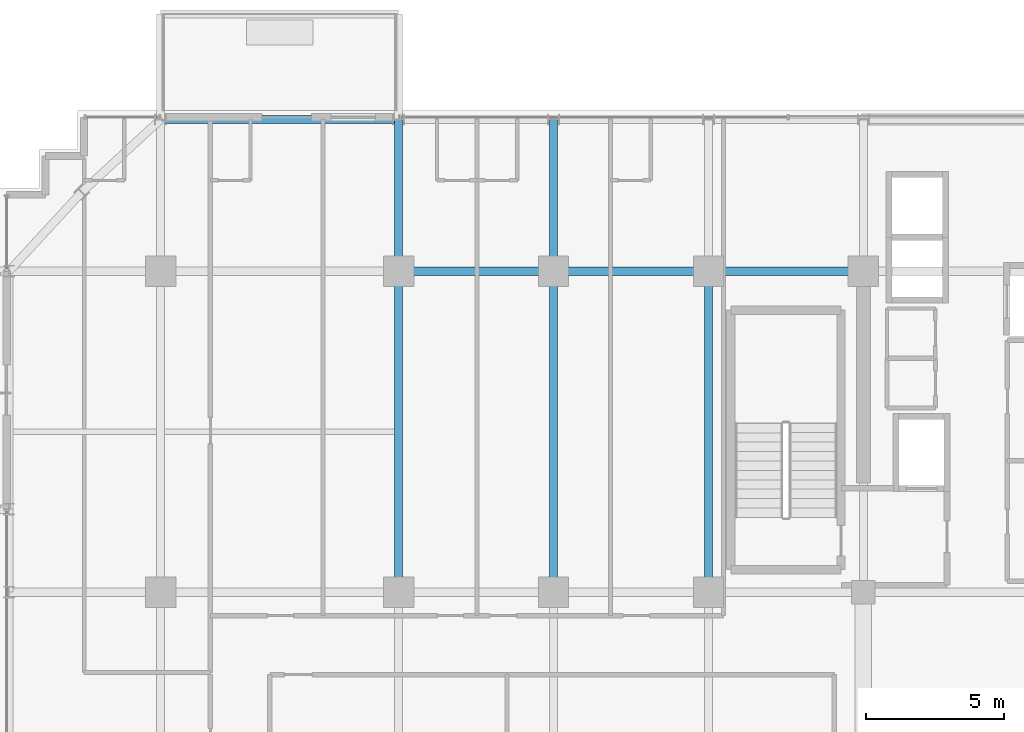
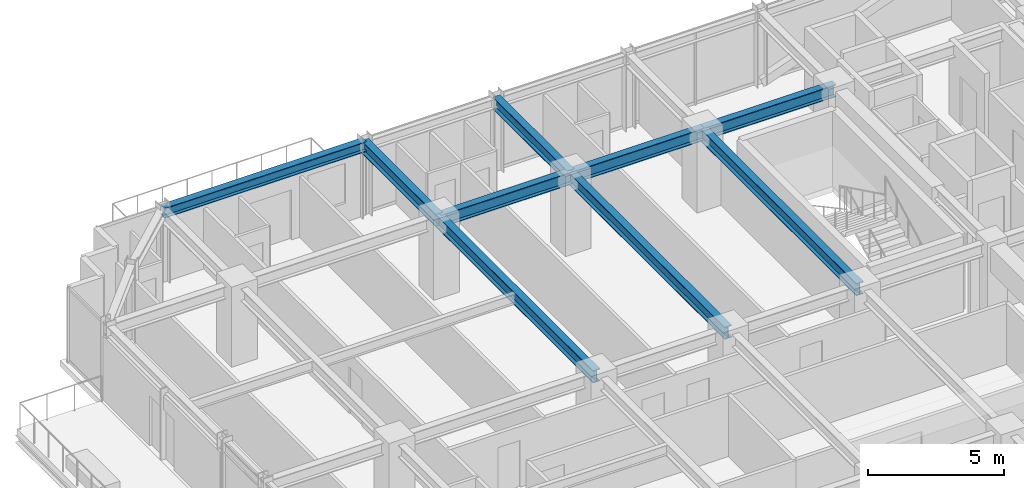
# One storey, part 18 of 32: 9 beams.
"""IFC4 building model written with IfcOpenShell, lengths in metres."""

import ifcopenshell
import ifcopenshell.guid

model = None  # the IFC model being written
_history = None  # IfcOwnerHistory: only IFC2X3 demands one
_inside = {}  # id of a spatial element -> (the spatial element, [elements in it])
_under = {}  # id of a project, library or spatial element -> (it, [spatial elements below it])
_declared = {}  # id of a project -> (the project, [libraries it declares])
_typed = {}  # id of a type object -> (the type object, [elements of that type])
_made_of = {}  # id of a material, layer set ... -> (it, [elements and type objects made of it])


def new_model(schema):
    """Start an empty IFC model of exactly this schema.

    Asked for "IFC4X3", IfcOpenShell would pick the latest addendum, in which some entities
    have other attributes; the version numbers below select the first issue.
    IFC2X3 requires an IfcOwnerHistory on every rooted entity: one is made here for all.
    """
    global model, _history
    if schema == "IFC4X3":
        model = ifcopenshell.file(schema_version=(4, 3, 0, 0))
    else:
        model = ifcopenshell.file(schema=schema)
    _inside.clear()
    _under.clear()
    _declared.clear()
    _typed.clear()
    _made_of.clear()
    _history = None
    if model.schema == "IFC2X3":
        org = make("IfcOrganization", Name="unknown")
        user = make(
            "IfcPersonAndOrganization",
            ThePerson=make("IfcPerson", FamilyName="unknown"),
            TheOrganization=org,
        )
        app = make(
            "IfcApplication",
            ApplicationDeveloper=org,
            Version="unknown",
            ApplicationFullName="unknown",
            ApplicationIdentifier="unknown",
        )
        _history = make(
            "IfcOwnerHistory",
            OwningUser=user,
            OwningApplication=app,
            ChangeAction="ADDED",
            CreationDate=0,
        )
    return model


def make(cls, **values):
    """One entity of the class cls with the attributes given. An attribute that is None is left unset."""
    return model.create_entity(
        cls, **{name: value for name, value in values.items() if value is not None}
    )


def rooted(cls, **values):
    """An entity with a GlobalId (a new one), such as an element, a storey or a relation."""
    return make(cls, GlobalId=ifcopenshell.guid.new(), OwnerHistory=_history, **values)


def si_unit(unit_type, name, prefix=None):
    """IfcSIUnit, for example si_unit("LENGTHUNIT", "METRE", prefix="MILLI")."""
    return make("IfcSIUnit", UnitType=unit_type, Prefix=prefix, Name=name)


def assignment(units):
    """IfcUnitAssignment: the units of a project."""
    return None if units is None else make("IfcUnitAssignment", Units=units)


def point(xyz):
    """IfcCartesianPoint."""
    return None if xyz is None else make("IfcCartesianPoint", Coordinates=xyz)


def direction(xyz):
    """IfcDirection."""
    return None if xyz is None else make("IfcDirection", DirectionRatios=xyz)


def frame(location, z_axis=None, x_axis=None):
    """IfcAxis2Placement3D, a coordinate frame: its origin and axes. An axis left out is left unset."""
    return make(
        "IfcAxis2Placement3D",
        Location=point(location),
        Axis=direction(z_axis),
        RefDirection=direction(x_axis),
    )


def frame_2d(location, x_axis=None):
    """IfcAxis2Placement2D, a coordinate frame in the plane: its origin and x axis."""
    return make(
        "IfcAxis2Placement2D", Location=point(location), RefDirection=direction(x_axis)
    )


def origin():
    """The frame at (0, 0, 0) with its axes left unset."""
    return frame((0.0, 0.0, 0.0))


def origin_2d():
    """The frame at (0, 0) in the plane with its x axis left unset."""
    return frame_2d((0.0, 0.0))


def place(relative_to, where):
    """IfcLocalPlacement: puts the frame where relative to a parent placement (None: the world)."""
    return make(
        "IfcLocalPlacement", PlacementRelTo=relative_to, RelativePlacement=where
    )


def context(
    kind, dimensions, precision=None, world=None, true_north=None, identifier=None
):
    """IfcGeometricRepresentationContext, for example the 3D "Model" context."""
    return make(
        "IfcGeometricRepresentationContext",
        ContextIdentifier=identifier,
        ContextType=kind,
        CoordinateSpaceDimension=dimensions,
        Precision=precision,
        WorldCoordinateSystem=world,
        TrueNorth=true_north,
    )


def subcontext(parent, identifier, kind, view, scale=None):
    """IfcGeometricRepresentationSubContext, for example "Body" below "Model"."""
    return make(
        "IfcGeometricRepresentationSubContext",
        ContextIdentifier=identifier,
        ContextType=kind,
        ParentContext=parent,
        TargetScale=scale,
        TargetView=view,
    )


def project(units=None, contexts=None):
    """IfcProject with its units and contexts."""
    return rooted(
        "IfcProject",
        Name="project",
        RepresentationContexts=contexts,
        UnitsInContext=assignment(units),
    )


def spatial(cls, under=None, at=None, **own):
    """A site, building, storey or space (cls), placed at a placement, below another one or the project."""
    s = rooted(cls, ObjectPlacement=at, **own)
    if under is not None:
        _under.setdefault(under.id(), (under, []))[1].append(s)
    return s


def profile(cls, at=None, kind="AREA", **sizes):
    """A parametric profile (cls). Its sizes go by their IFC names, for example OverallWidth=200.0."""
    return make(cls, ProfileType=kind, Position=at, **sizes)


def i_section(**sizes):
    """IfcIShapeProfileDef."""
    return profile("IfcIShapeProfileDef", **sizes)


def extrude(swept, where, along, depth):
    """IfcExtrudedAreaSolid: the profile swept, set in the frame where, extruded along a direction by depth."""
    return make(
        "IfcExtrudedAreaSolid",
        SweptArea=swept,
        Position=where,
        ExtrudedDirection=direction(along),
        Depth=depth,
    )


def shape(context_of_items, identifier, shape_type, items):
    """IfcShapeRepresentation: the items that make up one representation, for example the "Body"."""
    return make(
        "IfcShapeRepresentation",
        ContextOfItems=context_of_items,
        RepresentationIdentifier=identifier,
        RepresentationType=shape_type,
        Items=items,
    )


def source(mapping_origin, context_of_items, identifier, shape_type, items):
    """IfcRepresentationMap: a shape defined once, which mapped items show again and again."""
    return make(
        "IfcRepresentationMap",
        MappingOrigin=mapping_origin,
        MappedRepresentation=shape(context_of_items, identifier, shape_type, items),
    )


def transform(
    local_origin,
    x_axis=None,
    y_axis=None,
    z_axis=None,
    scale=None,
    scale2=None,
    scale3=None,
    uniform=True,
):
    """IfcCartesianTransformationOperator3D, or its non-uniform kind. x_axis, y_axis, z_axis: its Axis1, 2, 3."""
    if uniform:
        return make(
            "IfcCartesianTransformationOperator3D",
            Axis1=direction(x_axis),
            Axis2=direction(y_axis),
            LocalOrigin=point(local_origin),
            Scale=scale,
            Axis3=direction(z_axis),
        )
    return make(
        "IfcCartesianTransformationOperator3DnonUniform",
        Axis1=direction(x_axis),
        Axis2=direction(y_axis),
        LocalOrigin=point(local_origin),
        Scale=scale,
        Axis3=direction(z_axis),
        Scale2=scale2,
        Scale3=scale3,
    )


def mapped(mapping_source, mapping_target):
    """IfcMappedItem: shows the shape of a source again, moved by a transform."""
    return make(
        "IfcMappedItem", MappingSource=mapping_source, MappingTarget=mapping_target
    )


def material(Name=None, Category=None):
    """IfcMaterial."""
    return make("IfcMaterial", Name=Name, Category=Category)


def material_profile(
    of_material, cross_section, Name=None, Category=None, Priority=None
):
    """IfcMaterialProfile: a cross section and its material."""
    return make(
        "IfcMaterialProfile",
        Name=Name,
        Material=of_material,
        Profile=cross_section,
        Priority=Priority,
        Category=Category,
    )


def profile_set(profiles, Name=None, composite=None):
    """IfcMaterialProfileSet."""
    return make(
        "IfcMaterialProfileSet",
        Name=Name,
        MaterialProfiles=profiles,
        CompositeProfile=composite,
    )


def made_of(thing, what):
    """Note that an element or type object is made of a material, layer set ...; save() writes the relation."""
    if what is not None:
        _made_of.setdefault(what.id(), (what, []))[1].append(thing)
    return thing


def type_object(cls, material=None, **own):
    """A type object (cls), such as IfcWallType, which elements share."""
    return made_of(rooted(cls, **own), material)


def element(
    cls,
    number,
    at=None,
    inside=None,
    cuts=None,
    type_object=None,
    material=None,
    context=None,
    identifier="Body",
    shape_type=None,
    held_by="IfcProductDefinitionShape",
    body=None,
    shapes=None,
    **own,
):
    """One element of the class cls, such as IfcWall. Its Tag is "e" and its number.

    at: its placement. inside: the storey or other place that contains it. cuts: it is an
    opening in that element (IfcRelVoidsElement). A single representation is given by context,
    identifier, shape_type and body (its items); several are given by shapes. held_by: the class
    of the entity that holds the representations. save() writes the other relations.
    """
    e = rooted(cls, Tag="e%d" % number, ObjectPlacement=at, **own)
    if body is not None:
        shapes = [shape(context, identifier, shape_type, body)]
    if shapes is not None:
        e.Representation = make(held_by, Representations=shapes)
    if inside is not None:
        _inside.setdefault(inside.id(), (inside, []))[1].append(e)
    if cuts is not None:
        rooted(
            "IfcRelVoidsElement", RelatingBuildingElement=cuts, RelatedOpeningElement=e
        )
    if type_object is not None:
        _typed.setdefault(type_object.id(), (type_object, []))[1].append(e)
    return made_of(e, material)


def aggregate(whole, parts):
    """IfcRelAggregates: a whole, such as a stair, and the parts it consists of."""
    return rooted("IfcRelAggregates", RelatingObject=whole, RelatedObjects=parts)


def save(model, path):
    """Write the relations noted so far, then the file.

    IfcRelAggregates (storeys below a building ...), IfcRelContainedInSpatialStructure (elements
    in a storey), IfcRelDefinesByType, IfcRelAssociatesMaterial and IfcRelDeclares: one each for
    every whole, place, type object, material and project.
    """
    for whole, parts in _under.values():
        aggregate(whole, parts)
    for where, things in _inside.values():
        rooted(
            "IfcRelContainedInSpatialStructure",
            RelatedElements=things,
            RelatingStructure=where,
        )
    for kind, things in _typed.values():
        rooted("IfcRelDefinesByType", RelatedObjects=things, RelatingType=kind)
    for what, things in _made_of.values():
        rooted("IfcRelAssociatesMaterial", RelatedObjects=things, RelatingMaterial=what)
    for by, libraries in _declared.values():
        rooted("IfcRelDeclares", RelatingContext=by, RelatedDefinitions=libraries)
    model.write(path)


model = new_model("IFC4")

# Units and contexts
model_context = context("Model", 3, precision=1e-05, world=origin(), true_north=direction((0.0, 1.0)))
body_context = subcontext(model_context, "Body", "Model", "MODEL_VIEW")
ifc_project = project(units=[si_unit("LENGTHUNIT", "METRE"), si_unit("AREAUNIT", "SQUARE_METRE"), si_unit("VOLUMEUNIT", "CUBIC_METRE"), si_unit("PLANEANGLEUNIT", "RADIAN"), si_unit("MASSUNIT", "GRAM", prefix="KILO")], contexts=[model_context])

# Site, building, storey
site_placement = place(None, origin())
site = spatial("IfcSite", under=ifc_project, at=site_placement, CompositionType="ELEMENT")
building_placement = place(site_placement, origin())
building = spatial("IfcBuilding", under=site, at=building_placement, Name="Nahalor Promenade Grand Hotel", CompositionType="ELEMENT")
storey_placement = place(building_placement, frame((0.0, 0.0, 152.64990234375)))
storey = spatial("IfcBuildingStorey", under=building, at=storey_placement, Name="L38", CompositionType="ELEMENT", Elevation=152.64990234375)

# Beams
ifc_material = material(Name="Steel S355JR", Category="steel")
ifc_material_profile_1 = material_profile(ifc_material, i_section(OverallWidth=0.3, OverallDepth=0.55, WebThickness=0.015, FlangeThickness=0.029, at=origin_2d()), Name="HEB 550")
ifc_profile_set_1 = profile_set([ifc_material_profile_1], Name="Steel S355JR")
beam_type_1 = type_object("IfcBeamType", Name="Beam-Girder-HEB550", PredefinedType="BEAM", material=ifc_profile_set_1)
shared_shape_1 = source(origin(), body_context, "Body", "SweptSolid", [
    extrude(i_section(OverallWidth=0.3, OverallDepth=0.55, WebThickness=0.015, FlangeThickness=0.029, at=origin_2d()), origin(), (0.0, 0.0, 1.0), 5.599853515625),
])
for number, where, z_axis, x_axis, name in (
    (1, (-8.39990234375, 17.0, 3.114990234375), (1.0, 0.0, 0.0), (0.0, 1.0, 0.0), "BM-L38-GX-3-2"),
    (2, (2.800048828125, 17.0, 3.114990234375), (1.0, 0.0, 0.0), (0.0, 1.0, 0.0), "BM-L38-GX-3-4"),
):
    element("IfcBeam", number, at=place(storey_placement, frame(where, z_axis=z_axis, x_axis=x_axis)), inside=storey, type_object=beam_type_1, Name=name, PredefinedType="BEAM", context=body_context, shape_type="MappedRepresentation", body=[
        mapped(shared_shape_1, transform((0.0, 0.0, 0.0), scale=1.0)),
    ])
shared_shape_2 = source(origin(), body_context, "Body", "SweptSolid", [
    extrude(i_section(OverallWidth=0.3, OverallDepth=0.55, WebThickness=0.015, FlangeThickness=0.029, at=origin_2d()), origin(), (0.0, 0.0, 1.0), 5.60009765625),
])
beam_1_placement = place(storey_placement, frame((-2.800048828125, 17.0, 3.114990234375), z_axis=(1.0, 0.0, 0.0), x_axis=(0.0, 1.0, 0.0)))
element("IfcBeam", 3, at=beam_1_placement, inside=storey, type_object=beam_type_1, Name="BM-L38-GX-3-3", PredefinedType="BEAM", context=body_context, shape_type="MappedRepresentation", body=[
    mapped(shared_shape_2, transform((0.0, 0.0, 0.0), scale=1.0)),
])
shared_shape_3 = source(origin(), body_context, "Body", "SweptSolid", [
    extrude(i_section(OverallWidth=0.3, OverallDepth=0.55, WebThickness=0.015, FlangeThickness=0.029, at=origin_2d()), origin(), (0.0, 0.0, 1.0), 11.60009765625),
])
for number, where, z_axis, x_axis, name in (
    (4, (-8.39990234375, 5.39990234375, 3.114990234375), (0.0, 1.0, 0.0), (-1.0, 0.0, 0.0), "BM-L38-GY-1-3"),
    (5, (-2.800048828125, 5.39990234375, 3.114990234375), (0.0, 1.0, 0.0), (-1.0, 0.0, 0.0), "BM-L38-GY-2-3"),
    (6, (2.800048828125, 5.39990234375, 3.114990234375), (0.0, 1.0, 0.0), (-1.0, 0.0, 0.0), "BM-L38-GY-3-3"),
):
    element("IfcBeam", number, at=place(storey_placement, frame(where, z_axis=z_axis, x_axis=x_axis)), inside=storey, type_object=beam_type_1, Name=name, PredefinedType="BEAM", context=body_context, shape_type="MappedRepresentation", body=[
        mapped(shared_shape_3, transform((0.0, 0.0, 0.0), scale=1.0)),
    ])
shared_shape_4 = source(origin(), body_context, "Body", "SweptSolid", [
    extrude(i_section(OverallWidth=0.3, OverallDepth=0.55, WebThickness=0.015, FlangeThickness=0.029, at=origin_2d()), origin(), (0.0, 0.0, 1.0), 5.47998046875),
])
for number, where, z_axis, x_axis, name in (
    (7, (-8.39990234375, 17.0, 3.114990234375), (0.0, 1.0, 0.0), (-1.0, 0.0, 0.0), "BM-L38-GY-1-4"),
    (8, (-2.800048828125, 17.0, 3.114990234375), (0.0, 1.0, 0.0), (-1.0, 0.0, 0.0), "BM-L38-GY-2-4"),
):
    element("IfcBeam", number, at=place(storey_placement, frame(where, z_axis=z_axis, x_axis=x_axis)), inside=storey, type_object=beam_type_1, Name=name, PredefinedType="BEAM", context=body_context, shape_type="MappedRepresentation", body=[
        mapped(shared_shape_4, transform((0.0, 0.0, 0.0), scale=1.0)),
    ])
ifc_material_profile_2 = material_profile(ifc_material, i_section(OverallWidth=0.3, OverallDepth=0.45, WebThickness=0.014, FlangeThickness=0.026, at=origin_2d()), Name="HEB 450")
ifc_profile_set_2 = profile_set([ifc_material_profile_2], Name="Steel S355JR")
beam_type_2 = type_object("IfcBeamType", Name="Beam-Spandrel-HEB450", PredefinedType="SPANDREL", material=ifc_profile_set_2)
shared_shape_5 = source(origin(), body_context, "Body", "SweptSolid", [
    extrude(i_section(OverallWidth=0.3, OverallDepth=0.45, WebThickness=0.014, FlangeThickness=0.026, at=origin_2d()), origin(), (0.0, 0.0, 1.0), 8.60009765625),
])
beam_2_placement = place(storey_placement, frame((-17.0, 22.47998046875, 3.1650390625), z_axis=(1.0, 0.0, 0.0), x_axis=(0.0, 1.0, 0.0)))
element("IfcBeam", 9, at=beam_2_placement, inside=storey, type_object=beam_type_2, Name="BM-L38-SP-N-0", PredefinedType="SPANDREL", context=body_context, shape_type="MappedRepresentation", body=[
    mapped(shared_shape_5, transform((0.0, 0.0, 0.0), scale=1.0)),
])

save(model, "model.ifc")
